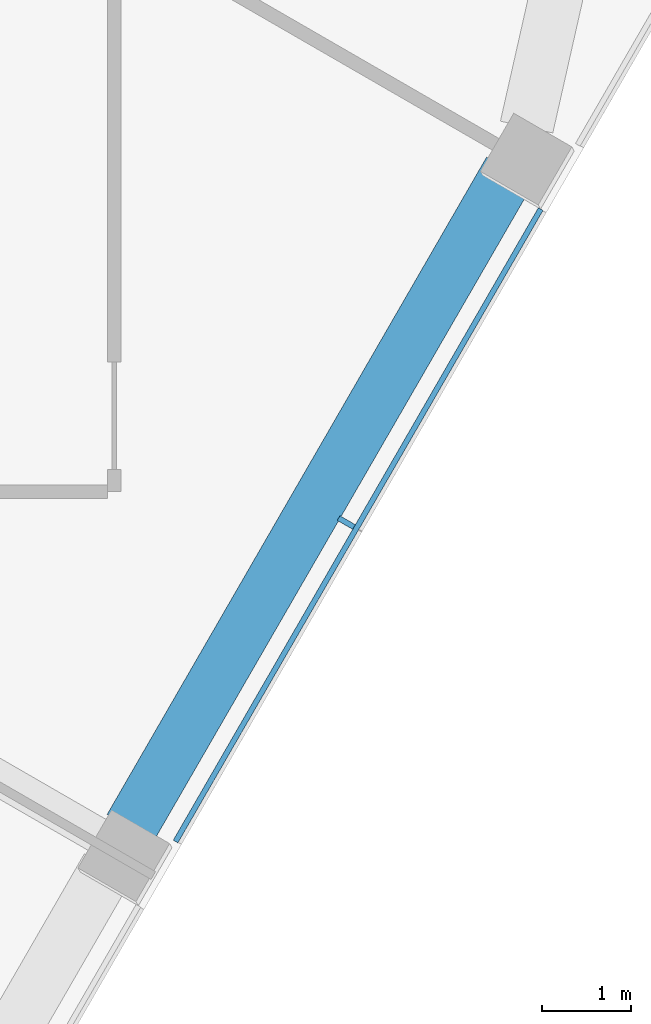
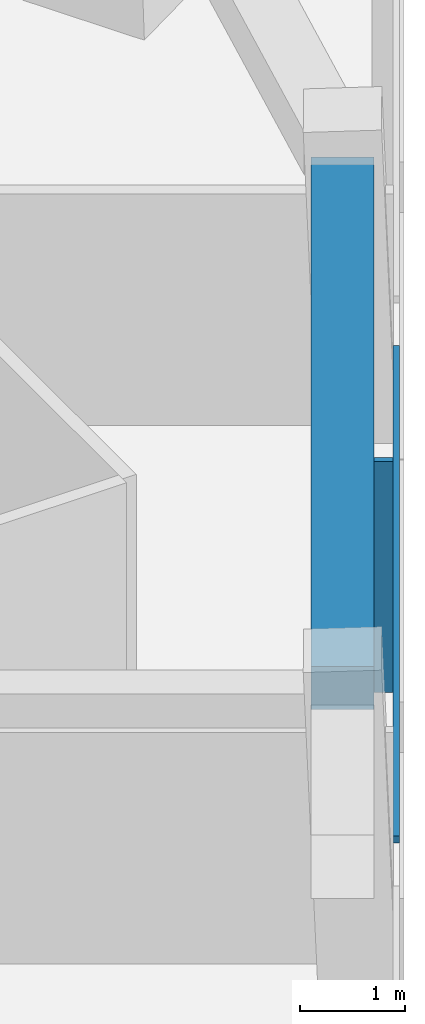
# One storey, part 4 of 12: 2 members, 1 beam, 1 element without a shape of its own.
"""IFC4 building model written with IfcOpenShell, lengths in metres."""

import ifcopenshell
import ifcopenshell.guid

model = None  # the IFC model being written
_history = None  # IfcOwnerHistory: only IFC2X3 demands one
_inside = {}  # id of a spatial element -> (the spatial element, [elements in it])
_under = {}  # id of a project, library or spatial element -> (it, [spatial elements below it])
_declared = {}  # id of a project -> (the project, [libraries it declares])
_typed = {}  # id of a type object -> (the type object, [elements of that type])
_made_of = {}  # id of a material, layer set ... -> (it, [elements and type objects made of it])


def new_model(schema):
    """Start an empty IFC model of exactly this schema.

    Asked for "IFC4X3", IfcOpenShell would pick the latest addendum, in which some entities
    have other attributes; the version numbers below select the first issue.
    IFC2X3 requires an IfcOwnerHistory on every rooted entity: one is made here for all.
    """
    global model, _history
    if schema == "IFC4X3":
        model = ifcopenshell.file(schema_version=(4, 3, 0, 0))
    else:
        model = ifcopenshell.file(schema=schema)
    _inside.clear()
    _under.clear()
    _declared.clear()
    _typed.clear()
    _made_of.clear()
    _history = None
    if model.schema == "IFC2X3":
        org = make("IfcOrganization", Name="unknown")
        user = make(
            "IfcPersonAndOrganization",
            ThePerson=make("IfcPerson", FamilyName="unknown"),
            TheOrganization=org,
        )
        app = make(
            "IfcApplication",
            ApplicationDeveloper=org,
            Version="unknown",
            ApplicationFullName="unknown",
            ApplicationIdentifier="unknown",
        )
        _history = make(
            "IfcOwnerHistory",
            OwningUser=user,
            OwningApplication=app,
            ChangeAction="ADDED",
            CreationDate=0,
        )
    return model


def make(cls, **values):
    """One entity of the class cls with the attributes given. An attribute that is None is left unset."""
    return model.create_entity(
        cls, **{name: value for name, value in values.items() if value is not None}
    )


def rooted(cls, **values):
    """An entity with a GlobalId (a new one), such as an element, a storey or a relation."""
    return make(cls, GlobalId=ifcopenshell.guid.new(), OwnerHistory=_history, **values)


def si_unit(unit_type, name, prefix=None):
    """IfcSIUnit, for example si_unit("LENGTHUNIT", "METRE", prefix="MILLI")."""
    return make("IfcSIUnit", UnitType=unit_type, Prefix=prefix, Name=name)


def assignment(units):
    """IfcUnitAssignment: the units of a project."""
    return None if units is None else make("IfcUnitAssignment", Units=units)


def point(xyz):
    """IfcCartesianPoint."""
    return None if xyz is None else make("IfcCartesianPoint", Coordinates=xyz)


def direction(xyz):
    """IfcDirection."""
    return None if xyz is None else make("IfcDirection", DirectionRatios=xyz)


def frame(location, z_axis=None, x_axis=None):
    """IfcAxis2Placement3D, a coordinate frame: its origin and axes. An axis left out is left unset."""
    return make(
        "IfcAxis2Placement3D",
        Location=point(location),
        Axis=direction(z_axis),
        RefDirection=direction(x_axis),
    )


def frame_2d(location, x_axis=None):
    """IfcAxis2Placement2D, a coordinate frame in the plane: its origin and x axis."""
    return make(
        "IfcAxis2Placement2D", Location=point(location), RefDirection=direction(x_axis)
    )


def origin():
    """The frame at (0, 0, 0) with its axes left unset."""
    return frame((0.0, 0.0, 0.0))


def origin_2d():
    """The frame at (0, 0) in the plane with its x axis left unset."""
    return frame_2d((0.0, 0.0))


def place(relative_to, where):
    """IfcLocalPlacement: puts the frame where relative to a parent placement (None: the world)."""
    return make(
        "IfcLocalPlacement", PlacementRelTo=relative_to, RelativePlacement=where
    )


def context(
    kind, dimensions, precision=None, world=None, true_north=None, identifier=None
):
    """IfcGeometricRepresentationContext, for example the 3D "Model" context."""
    return make(
        "IfcGeometricRepresentationContext",
        ContextIdentifier=identifier,
        ContextType=kind,
        CoordinateSpaceDimension=dimensions,
        Precision=precision,
        WorldCoordinateSystem=world,
        TrueNorth=true_north,
    )


def subcontext(parent, identifier, kind, view, scale=None):
    """IfcGeometricRepresentationSubContext, for example "Body" below "Model"."""
    return make(
        "IfcGeometricRepresentationSubContext",
        ContextIdentifier=identifier,
        ContextType=kind,
        ParentContext=parent,
        TargetScale=scale,
        TargetView=view,
    )


def project(units=None, contexts=None):
    """IfcProject with its units and contexts."""
    return rooted(
        "IfcProject",
        Name="project",
        RepresentationContexts=contexts,
        UnitsInContext=assignment(units),
    )


def spatial(cls, under=None, at=None, **own):
    """A site, building, storey or space (cls), placed at a placement, below another one or the project."""
    s = rooted(cls, ObjectPlacement=at, **own)
    if under is not None:
        _under.setdefault(under.id(), (under, []))[1].append(s)
    return s


def profile(cls, at=None, kind="AREA", **sizes):
    """A parametric profile (cls). Its sizes go by their IFC names, for example OverallWidth=200.0."""
    return make(cls, ProfileType=kind, Position=at, **sizes)


def rectangle(**sizes):
    """IfcRectangleProfileDef."""
    return profile("IfcRectangleProfileDef", **sizes)


def extrude(swept, where, along, depth):
    """IfcExtrudedAreaSolid: the profile swept, set in the frame where, extruded along a direction by depth."""
    return make(
        "IfcExtrudedAreaSolid",
        SweptArea=swept,
        Position=where,
        ExtrudedDirection=direction(along),
        Depth=depth,
    )


def shape(context_of_items, identifier, shape_type, items):
    """IfcShapeRepresentation: the items that make up one representation, for example the "Body"."""
    return make(
        "IfcShapeRepresentation",
        ContextOfItems=context_of_items,
        RepresentationIdentifier=identifier,
        RepresentationType=shape_type,
        Items=items,
    )


def material(Name=None, Category=None):
    """IfcMaterial."""
    return make("IfcMaterial", Name=Name, Category=Category)


def layer(
    of_material, thickness, ventilated=None, Name=None, Category=None, Priority=None
):
    """IfcMaterialLayer: one layer of a wall or slab, of a material (None: an air gap)."""
    return make(
        "IfcMaterialLayer",
        Material=of_material,
        LayerThickness=thickness,
        IsVentilated=ventilated,
        Name=Name,
        Category=Category,
        Priority=Priority,
    )


def layer_set(layers, Name=None):
    """IfcMaterialLayerSet."""
    return make("IfcMaterialLayerSet", MaterialLayers=layers, LayerSetName=Name)


def material_profile(
    of_material, cross_section, Name=None, Category=None, Priority=None
):
    """IfcMaterialProfile: a cross section and its material."""
    return make(
        "IfcMaterialProfile",
        Name=Name,
        Material=of_material,
        Profile=cross_section,
        Priority=Priority,
        Category=Category,
    )


def profile_set(profiles, Name=None, composite=None):
    """IfcMaterialProfileSet."""
    return make(
        "IfcMaterialProfileSet",
        Name=Name,
        MaterialProfiles=profiles,
        CompositeProfile=composite,
    )


def made_of(thing, what):
    """Note that an element or type object is made of a material, layer set ...; save() writes the relation."""
    if what is not None:
        _made_of.setdefault(what.id(), (what, []))[1].append(thing)
    return thing


def type_object(cls, material=None, **own):
    """A type object (cls), such as IfcWallType, which elements share."""
    return made_of(rooted(cls, **own), material)


def element(
    cls,
    number,
    at=None,
    inside=None,
    cuts=None,
    type_object=None,
    material=None,
    context=None,
    identifier="Body",
    shape_type=None,
    held_by="IfcProductDefinitionShape",
    body=None,
    shapes=None,
    **own,
):
    """One element of the class cls, such as IfcWall. Its Tag is "e" and its number.

    at: its placement. inside: the storey or other place that contains it. cuts: it is an
    opening in that element (IfcRelVoidsElement). A single representation is given by context,
    identifier, shape_type and body (its items); several are given by shapes. held_by: the class
    of the entity that holds the representations. save() writes the other relations.
    """
    e = rooted(cls, Tag="e%d" % number, ObjectPlacement=at, **own)
    if body is not None:
        shapes = [shape(context, identifier, shape_type, body)]
    if shapes is not None:
        e.Representation = make(held_by, Representations=shapes)
    if inside is not None:
        _inside.setdefault(inside.id(), (inside, []))[1].append(e)
    if cuts is not None:
        rooted(
            "IfcRelVoidsElement", RelatingBuildingElement=cuts, RelatedOpeningElement=e
        )
    if type_object is not None:
        _typed.setdefault(type_object.id(), (type_object, []))[1].append(e)
    return made_of(e, material)


def aggregate(whole, parts):
    """IfcRelAggregates: a whole, such as a stair, and the parts it consists of."""
    return rooted("IfcRelAggregates", RelatingObject=whole, RelatedObjects=parts)


def save(model, path):
    """Write the relations noted so far, then the file.

    IfcRelAggregates (storeys below a building ...), IfcRelContainedInSpatialStructure (elements
    in a storey), IfcRelDefinesByType, IfcRelAssociatesMaterial and IfcRelDeclares: one each for
    every whole, place, type object, material and project.
    """
    for whole, parts in _under.values():
        aggregate(whole, parts)
    for where, things in _inside.values():
        rooted(
            "IfcRelContainedInSpatialStructure",
            RelatedElements=things,
            RelatingStructure=where,
        )
    for kind, things in _typed.values():
        rooted("IfcRelDefinesByType", RelatedObjects=things, RelatingType=kind)
    for what, things in _made_of.values():
        rooted("IfcRelAssociatesMaterial", RelatedObjects=things, RelatingMaterial=what)
    for by, libraries in _declared.values():
        rooted("IfcRelDeclares", RelatingContext=by, RelatedDefinitions=libraries)
    model.write(path)


model = new_model("IFC4")

# Units and contexts
model_context = context("Model", 3, precision=1e-05, world=origin(), true_north=direction((0.0, 1.0)))
body_context = subcontext(model_context, "Body", "Model", "MODEL_VIEW")
ifc_project = project(units=[si_unit("LENGTHUNIT", "METRE"), si_unit("AREAUNIT", "SQUARE_METRE"), si_unit("VOLUMEUNIT", "CUBIC_METRE"), si_unit("PLANEANGLEUNIT", "RADIAN"), si_unit("MASSUNIT", "GRAM", prefix="KILO")], contexts=[model_context])

# Site, building, storey
site_placement = place(None, origin())
site = spatial("IfcSite", under=ifc_project, at=site_placement, CompositionType="ELEMENT")
building_placement = place(site_placement, origin())
building = spatial("IfcBuilding", under=site, at=building_placement, Name="Altiplano Prism Tower", CompositionType="ELEMENT")
storey_placement = place(building_placement, frame((0.0, 0.0, 257.199951171875)))
storey = spatial("IfcBuildingStorey", under=building, at=storey_placement, Name="L66", CompositionType="ELEMENT", Elevation=257.199951171875)

# Curtain wall, members
ifc_material_1 = material(Name="Aluminium and glass", Category="aluminium")
ifc_layer = layer(ifc_material_1, 0.303955078125)
ifc_layer_set = layer_set([ifc_layer], Name="Aluminium and glass")
curtain_wall_type = type_object("IfcCurtainWallType", Name="CW2 lounge-band unitised glazing", PredefinedType="NOTDEFINED", material=ifc_layer_set)
curtain_wall_placement = place(storey_placement, origin())
curtain_wall = element("IfcCurtainWall", 1, at=curtain_wall_placement, inside=storey, type_object=curtain_wall_type, Name="CW2 curtain wall south-east face L66", PredefinedType="NOTDEFINED")
ifc_material_2 = material(Name="Aluminium", Category="aluminium")
ifc_material_profile_1 = material_profile(ifc_material_2, rectangle(XDim=0.199951171875, YDim=0.06005859375, at=origin_2d()), Name="CW2 mullion 60 x 200")
ifc_profile_set_1 = profile_set([ifc_material_profile_1], Name="Aluminium")
member_type_1 = type_object("IfcMemberType", Name="CW2 mullion 60 x 200", PredefinedType="MULLION", material=ifc_profile_set_1)
member_1_placement = place(storey_placement, frame((102.39501953125, 90.25537109375, 0.0), z_axis=(0.0, 0.0, 1.0), x_axis=(-0.866025401332, 0.500000004247, 0.0)))
member_1 = element("IfcMember", 2, at=member_1_placement, type_object=member_type_1, Name="CW2 mullion", PredefinedType="MULLION", context=body_context, shape_type="SweptSolid", body=[
    extrude(rectangle(XDim=0.199951171875, YDim=0.06005859375, at=origin_2d()), origin(), (0.0, 0.0, 1.0), 2.699951171875),
])
ifc_material_profile_2 = material_profile(ifc_material_2, rectangle(XDim=0.06005859375, YDim=0.080078125, at=origin_2d()), Name="CW2 transom 80 x 60")
ifc_profile_set_2 = profile_set([ifc_material_profile_2], Name="Aluminium")
member_type_2 = type_object("IfcMemberType", Name="CW2 transom 80 x 60", PredefinedType="USERDEFINED", material=ifc_profile_set_2)
member_2_placement = place(storey_placement, frame((100.48486328125, 86.68701171875, 1.10009765625), z_axis=(0.499995783154, 0.866027838368, 0.0), x_axis=(-0.866027838368, 0.499995783154, 0.0)))
member_2 = element("IfcMember", 3, at=member_2_placement, type_object=member_type_2, Name="CW2 transom", ObjectType="TRANSOM", PredefinedType="USERDEFINED", context=body_context, shape_type="SweptSolid", body=[
    extrude(rectangle(XDim=0.06005859375, YDim=0.080078125, at=origin_2d()), origin(), (0.0, 0.0, 1.0), 8.169921875),
])
aggregate(curtain_wall, [member_1, member_2])

# Beam
ifc_material_3 = material(Name="Concrete C60/75", Category="concrete")
ifc_material_profile_3 = material_profile(ifc_material_3, rectangle(XDim=0.60009765625, YDim=0.5, at=origin_2d()), Name="Edge beam 600x500")
ifc_profile_set_3 = profile_set([ifc_material_profile_3], Name="Concrete C60/75")
beam_type = type_object("IfcBeamType", Name="Edge beam 600x500", PredefinedType="SPANDREL", material=ifc_profile_set_3)
beam_placement = place(storey_placement, frame((99.9794921875, 86.8408203125, 2.949951171875), z_axis=(0.49998963237, 0.866031389456, 0.0), x_axis=(-0.866031389456, 0.49998963237, 0.0)))
element("IfcBeam", 4, at=beam_placement, inside=storey, type_object=beam_type, Name="Edge beam P23-P24 L67", PredefinedType="SPANDREL", context=body_context, shape_type="SweptSolid", body=[
    extrude(rectangle(XDim=0.60009765625, YDim=0.5, at=origin_2d()), origin(), (0.0, 0.0, 1.0), 8.489990234375),
])

save(model, "model.ifc")
